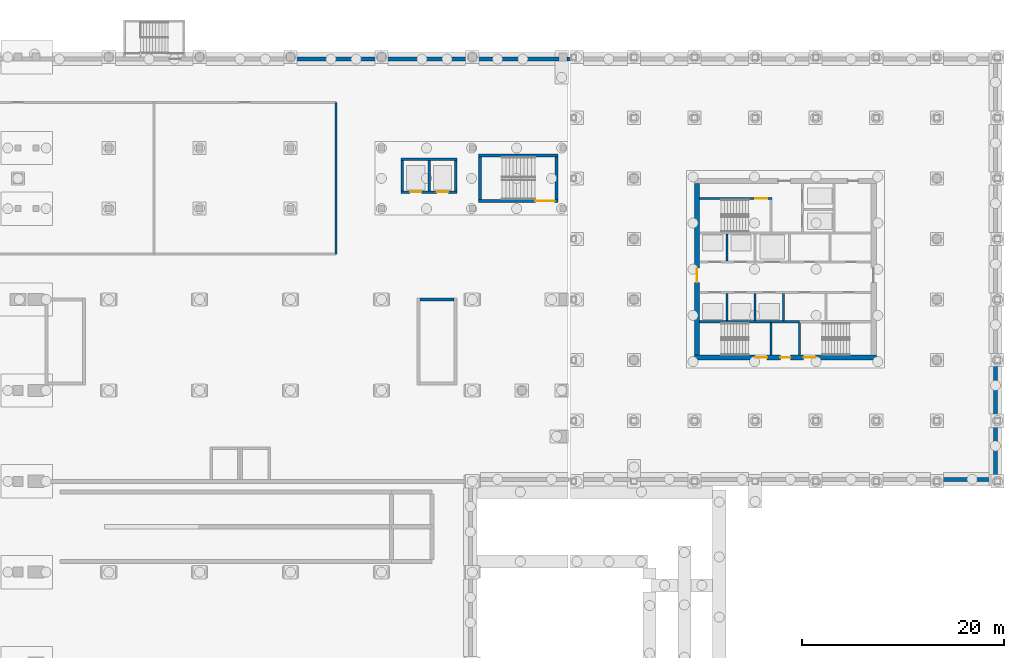
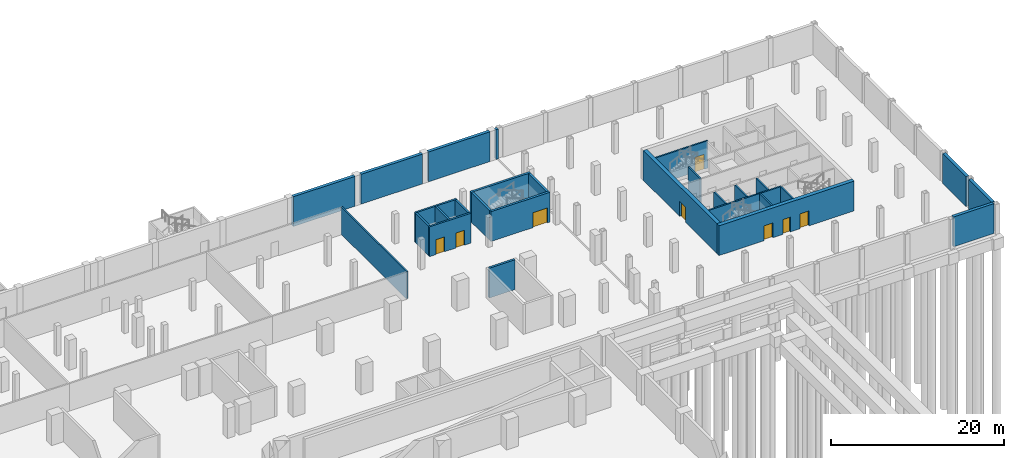
# One storey, part 16 of 29: 29 walls, 8 doors, 8 openings.
"""IFC4 building model written with IfcOpenShell, lengths in metres."""

from ifc_helpers import new_model, si_unit, direction, frame, frame_2d, origin, place, context, subcontext, project, spatial, rectangle, extrude, material, layer, layer_set, type_object, element, fill, save


model = new_model("IFC4")

# Units and contexts
model_context = context("Model", 3, precision=1e-05, world=origin(), true_north=direction((0.0, 1.0)))
body_context = subcontext(model_context, "Body", "Model", "MODEL_VIEW")
ifc_project = project(units=[si_unit("LENGTHUNIT", "METRE"), si_unit("AREAUNIT", "SQUARE_METRE"), si_unit("VOLUMEUNIT", "CUBIC_METRE"), si_unit("PLANEANGLEUNIT", "RADIAN"), si_unit("MASSUNIT", "GRAM", prefix="KILO")], contexts=[model_context])

# Site, building, storey
site_placement = place(None, origin())
site = spatial("IfcSite", under=ifc_project, at=site_placement, CompositionType="ELEMENT")
building_placement = place(site_placement, origin())
building = spatial("IfcBuilding", under=site, at=building_placement, Name="Aravalli Gate Trade Fair Centre", CompositionType="ELEMENT")
storey_placement = place(building_placement, frame((0.0, 0.0, -8.39990234375)))
storey = spatial("IfcBuildingStorey", under=building, at=storey_placement, Name="B2", CompositionType="ELEMENT", Elevation=-8.39990234375)

# Walls
ifc_material_1 = material(Name="Compressible joint filler")
ifc_layer_1 = layer(ifc_material_1, 0.169921875, Name="Joint filler, soil side")
ifc_material_2 = material(Name="PVC waterstop")
ifc_layer_2 = layer(ifc_material_2, 0.06005859375, Name="PVC waterstop, centre bulb")
ifc_layer_3 = layer(ifc_material_1, 0.169921875, Name="Joint filler, inner face")
ifc_layer_set_1 = layer_set([ifc_layer_1, ifc_layer_2, ifc_layer_3], Name="Basement joint filler wall 400")
wall_type_1 = type_object("IfcWallType", Name="Basement joint filler wall 400", PredefinedType="SOLIDWALL", material=ifc_layer_set_1)
wall_1_placement = place(storey_placement, frame((159.39990234375, 132.800048828125, 0.0), z_axis=(0.0, 0.0, 1.0), x_axis=(1.0, 0.0, 0.0)))
element("IfcWall", 1, at=wall_1_placement, inside=storey, type_object=wall_type_1, Name="Joint filler wall N B2", PredefinedType="SOLIDWALL", context=body_context, shape_type="SweptSolid", body=[
    extrude(rectangle(XDim=0.300048828125, YDim=0.39990234375, at=frame_2d((0.14990234375, 0.0))), origin(), (0.0, 0.0, 1.0), 4.199951171875),
])
ifc_material_3 = material(Name="Concrete M30", Category="concrete")
ifc_layer_4 = layer(ifc_material_3, 0.199951171875)
ifc_layer_set_2 = layer_set([ifc_layer_4], Name="Concrete M30")
wall_type_2 = type_object("IfcWallType", Name="Basement plant room wall 200", PredefinedType="SOLIDWALL", material=ifc_layer_set_2)
wall_2_placement = place(storey_placement, frame((136.5, 113.5, 0.0), z_axis=(0.0, 0.0, 1.0), x_axis=(0.0, 1.0, 0.0)))
element("IfcWall", 2, at=wall_2_placement, inside=storey, type_object=wall_type_2, Name="Basement plant room wall B2 16.1", PredefinedType="SOLIDWALL", context=body_context, shape_type="SweptSolid", body=[
    extrude(rectangle(XDim=15.0, YDim=0.199951171875, at=frame_2d((7.5, 0.0))), origin(), (0.0, 0.0, 1.0), 3.849853515625),
])
ifc_material_4 = material(Name="Concrete M40", Category="concrete")
ifc_layer_5 = layer(ifc_material_4, 0.39990234375)
ifc_layer_set_3 = layer_set([ifc_layer_5], Name="Concrete M40")
wall_type_3 = type_object("IfcWallType", Name="Basement retaining wall 400", PredefinedType="SOLIDWALL", material=ifc_layer_set_3)
wall_3_placement = place(storey_placement, frame((196.300048828125, 91.199951171875, 0.0), z_axis=(0.0, 0.0, 1.0), x_axis=(1.0, 0.0, 0.0)))
element("IfcWall", 3, at=wall_3_placement, inside=storey, type_object=wall_type_3, Name="Retaining wall S208 B2", PredefinedType="SOLIDWALL", context=body_context, shape_type="SweptSolid", body=[
    extrude(rectangle(XDim=5.39990234375, YDim=0.39990234375, at=frame_2d((2.699951171875, 0.0))), origin(), (0.0, 0.0, 1.0), 4.199951171875),
])
wall_4_placement = place(storey_placement, frame((201.800048828125, 91.39990234375, 0.0), z_axis=(0.0, 0.0, 1.0), x_axis=(0.0, 1.0, 0.0)))
element("IfcWall", 4, at=wall_4_placement, inside=storey, type_object=wall_type_3, Name="Retaining wall E201 B2", PredefinedType="SOLIDWALL", context=body_context, shape_type="SweptSolid", body=[
    extrude(rectangle(XDim=5.300048828125, YDim=0.39990234375, at=frame_2d((2.64990234375, 0.0))), origin(), (0.0, 0.0, 1.0), 4.199951171875),
])
wall_5_placement = place(storey_placement, frame((201.800048828125, 97.300048828125, 0.0), z_axis=(0.0, 0.0, 1.0), x_axis=(0.0, 1.0, 0.0)))
element("IfcWall", 5, at=wall_5_placement, inside=storey, type_object=wall_type_3, Name="Retaining wall E202 B2", PredefinedType="SOLIDWALL", context=body_context, shape_type="SweptSolid", body=[
    extrude(rectangle(XDim=5.39990234375, YDim=0.39990234375, at=frame_2d((2.699951171875, 0.0))), origin(), (0.0, 0.0, 1.0), 4.199951171875),
])
for number, where, z_axis, x_axis, name in (
    (6, (132.39990234375, 132.800048828125, 0.0), (0.0, 0.0, 1.0), (1.0, 0.0, 0.0), "Retaining wall N16 B2"),
    (7, (141.39990234375, 132.800048828125, 0.0), (0.0, 0.0, 1.0), (1.0, 0.0, 0.0), "Retaining wall N17 B2"),
    (8, (150.39990234375, 132.800048828125, 0.0), (0.0, 0.0, 1.0), (1.0, 0.0, 0.0), "Retaining wall N18 B2"),
):
    element("IfcWall", number, at=place(storey_placement, frame(where, z_axis=z_axis, x_axis=x_axis)), inside=storey, type_object=wall_type_3, Name=name, PredefinedType="SOLIDWALL", context=body_context, shape_type="SweptSolid", body=[
        extrude(rectangle(XDim=8.2001953125, YDim=0.39990234375, at=frame_2d((4.10009765625, 0.0))), origin(), (0.0, 0.0, 1.0), 4.199951171875),
    ])
ifc_layer_6 = layer(ifc_material_4, 0.300048828125)
ifc_layer_set_4 = layer_set([ifc_layer_6], Name="Concrete M40")
wall_type_4 = type_object("IfcWallType", Name="Congress RC wall 300", PredefinedType="SHEAR", material=ifc_layer_set_4)
wall_6_placement = place(storey_placement, frame((144.800048828125, 109.0, 0.0), z_axis=(0.0, 0.0, 1.0), x_axis=(1.0, 0.0, 0.0)))
element("IfcWall", 9, at=wall_6_placement, inside=storey, type_object=wall_type_4, Name="Foyer Stair East wall N B2", PredefinedType="SHEAR", context=body_context, shape_type="SweptSolid", body=[
    extrude(rectangle(XDim=3.39990234375, YDim=0.300048828125, at=frame_2d((1.699951171875, 0.0))), origin(), (0.0, 0.0, 1.0), 4.199951171875),
])

# Wall, openings, doors
ifc_layer_7 = layer(ifc_material_4, 0.25)
ifc_layer_set_5 = layer_set([ifc_layer_7], Name="Concrete M40")
wall_type_5 = type_object("IfcWallType", Name="RC core wall 250", PredefinedType="SHEAR", material=ifc_layer_set_5)
wall_7_placement = place(storey_placement, frame((142.949951171875, 119.625, 0.0), z_axis=(0.0, 0.0, 1.0), x_axis=(1.0, 0.0, 0.0)))
wall_7 = element("IfcWall", 10, at=wall_7_placement, inside=storey, type_object=wall_type_5, Name="Core wall ELS B2", PredefinedType="SHEAR", context=body_context, shape_type="SweptSolid", body=[
    extrude(rectangle(XDim=5.550048828125, YDim=0.25, at=frame_2d((2.77490234375, 0.0))), origin(), (0.0, 0.0, 1.0), 4.199951171875),
])
opening_1_placement = place(wall_7_placement, frame((0.89990234375, 0.0, 0.0)))
opening_1 = element("IfcOpeningElement", 11, at=opening_1_placement, cuts=wall_7, Name="Opening C-B2-05", PredefinedType="OPENING", context=body_context, shape_type="SweptSolid", body=[
    extrude(rectangle(XDim=1.10009765625, YDim=2.10009765625, at=frame_2d((0.550048828125, 1.050048828125))), frame((0.0, 0.135009765625, 0.0), z_axis=(0.0, -1.0, 0.0), x_axis=(1.0, 0.0, 0.0)), (0.0, 0.0, 1.0), 0.27001953125),
])
opening_2_placement = place(wall_7_placement, frame((3.550048828125, 0.0, 0.0)))
opening_2 = element("IfcOpeningElement", 12, at=opening_2_placement, cuts=wall_7, Name="Opening C-B2-06", PredefinedType="OPENING", context=body_context, shape_type="SweptSolid", body=[
    extrude(rectangle(XDim=1.10009765625, YDim=2.10009765625, at=frame_2d((0.550048828125, 1.050048828125))), frame((0.0, 0.135009765625, 0.0), z_axis=(0.0, -1.0, 0.0), x_axis=(1.0, 0.0, 0.0)), (0.0, 0.0, 1.0), 0.27001953125),
])
ifc_material_5 = material(Name="Steel, fire rated", Category="steel")
door_type_1 = type_object("IfcDoorType", Name="Concourse lift landing door 1100 x 2100", OperationType="DOUBLE_DOOR_SLIDING", PredefinedType="NOTDEFINED", material=ifc_material_5)
door_1_placement = place(opening_1_placement, origin())
door_1 = element("IfcDoor", 13, at=door_1_placement, inside=storey, type_object=door_type_1, Name="Lift landing door EL1 B2", OperationType="DOUBLE_DOOR_SLIDING", OverallHeight=2.10009765625, OverallWidth=1.10009765625, PredefinedType="NOTDEFINED", context=body_context, shape_type="SweptSolid", body=[
    extrude(rectangle(XDim=1.10009765625, YDim=2.10009765625, at=frame_2d((0.550048828125, 1.050048828125))), frame((0.0, 0.02490234375, 0.0), z_axis=(0.0, -1.0, 0.0), x_axis=(1.0, 0.0, 0.0)), (0.0, 0.0, 1.0), 0.050048828125),
])
fill(opening_1, door_1)
door_2_placement = place(opening_2_placement, origin())
door_2 = element("IfcDoor", 14, at=door_2_placement, inside=storey, type_object=door_type_1, Name="Lift landing door EL2 B2", OperationType="DOUBLE_DOOR_SLIDING", OverallHeight=2.10009765625, OverallWidth=1.10009765625, PredefinedType="NOTDEFINED", context=body_context, shape_type="SweptSolid", body=[
    extrude(rectangle(XDim=1.10009765625, YDim=2.10009765625, at=frame_2d((0.550048828125, 1.050048828125))), frame((0.0, 0.02490234375, 0.0), z_axis=(0.0, -1.0, 0.0), x_axis=(1.0, 0.0, 0.0)), (0.0, 0.0, 1.0), 0.050048828125),
])
fill(opening_2, door_2)

# Walls
wall_8_placement = place(storey_placement, frame((142.949951171875, 122.875, 0.0), z_axis=(0.0, 0.0, 1.0), x_axis=(1.0, 0.0, 0.0)))
element("IfcWall", 15, at=wall_8_placement, inside=storey, type_object=wall_type_5, Name="Core wall ELN B2", PredefinedType="SHEAR", context=body_context, shape_type="SweptSolid", body=[
    extrude(rectangle(XDim=5.550048828125, YDim=0.25, at=frame_2d((2.77490234375, 0.0))), origin(), (0.0, 0.0, 1.0), 4.199951171875),
])
for number, where, z_axis, x_axis, name in (
    (16, (143.074951171875, 119.75, 0.0), (0.0, 0.0, 1.0), (0.0, 1.0, 0.0), "Core wall ELW B2"),
    (17, (148.375, 119.75, 0.0), (0.0, 0.0, 1.0), (0.0, 1.0, 0.0), "Core wall ELE B2"),
    (18, (145.72509765625, 119.75, 0.0), (0.0, 0.0, 1.0), (0.0, 1.0, 0.0), "Core wall ELM B2"),
):
    element("IfcWall", number, at=place(storey_placement, frame(where, z_axis=z_axis, x_axis=x_axis)), inside=storey, type_object=wall_type_5, Name=name, PredefinedType="SHEAR", context=body_context, shape_type="SweptSolid", body=[
        extrude(rectangle(XDim=3.0, YDim=0.25, at=frame_2d((1.5, 0.0))), origin(), (0.0, 0.0, 1.0), 4.199951171875),
    ])

# Wall, opening, door
ifc_layer_8 = layer(ifc_material_4, 0.300048828125)
ifc_layer_set_6 = layer_set([ifc_layer_8], Name="Concrete M40")
wall_type_6 = type_object("IfcWallType", Name="RC core wall 300", PredefinedType="SHEAR", material=ifc_layer_set_6)
wall_9_placement = place(storey_placement, frame((150.60009765625, 118.75, 0.0), z_axis=(0.0, 0.0, 1.0), x_axis=(1.0, 0.0, 0.0)))
wall_9 = element("IfcWall", 19, at=wall_9_placement, inside=storey, type_object=wall_type_6, Name="Core wall ESS B2", PredefinedType="SHEAR", context=body_context, shape_type="SweptSolid", body=[
    extrude(rectangle(XDim=7.89990234375, YDim=0.300048828125, at=frame_2d((3.949951171875, 0.0))), origin(), (0.0, 0.0, 1.0), 4.199951171875),
])
opening_3_placement = place(wall_9_placement, frame((5.64990234375, 0.0, 0.0)))
opening_3 = element("IfcOpeningElement", 20, at=opening_3_placement, cuts=wall_9, Name="Opening C-B2-04", PredefinedType="OPENING", context=body_context, shape_type="SweptSolid", body=[
    extrude(rectangle(XDim=1.89990234375, YDim=2.10009765625, at=frame_2d((0.949951171875, 1.050048828125))), frame((0.0, 0.159912109375, 0.0), z_axis=(0.0, -1.0, 0.0), x_axis=(1.0, 0.0, 0.0)), (0.0, 0.0, 1.0), 0.320068359375),
])
door_type_2 = type_object("IfcDoorType", Name="Concourse stair door 1900 x 2100", OperationType="DOUBLE_DOOR_SINGLE_SWING", PredefinedType="NOTDEFINED", material=ifc_material_5)
door_3_placement = place(opening_3_placement, origin())
door_3 = element("IfcDoor", 21, at=door_3_placement, inside=storey, type_object=door_type_2, Name="Stair door ES B2", OperationType="DOUBLE_DOOR_SINGLE_SWING", OverallHeight=2.10009765625, OverallWidth=1.89990234375, PredefinedType="NOTDEFINED", context=body_context, shape_type="SweptSolid", body=[
    extrude(rectangle(XDim=1.89990234375, YDim=2.10009765625, at=frame_2d((0.949951171875, 1.050048828125))), frame((0.0, 0.02490234375, 0.0), z_axis=(0.0, -1.0, 0.0), x_axis=(1.0, 0.0, 0.0)), (0.0, 0.0, 1.0), 0.050048828125),
])
fill(opening_3, door_3)

# Walls
wall_10_placement = place(storey_placement, frame((150.60009765625, 123.25, 0.0), z_axis=(0.0, 0.0, 1.0), x_axis=(1.0, 0.0, 0.0)))
element("IfcWall", 22, at=wall_10_placement, inside=storey, type_object=wall_type_6, Name="Core wall ESN B2", PredefinedType="SHEAR", context=body_context, shape_type="SweptSolid", body=[
    extrude(rectangle(XDim=7.89990234375, YDim=0.300048828125, at=frame_2d((3.949951171875, 0.0))), origin(), (0.0, 0.0, 1.0), 4.199951171875),
])
for number, where, z_axis, x_axis, name in (
    (23, (150.75, 118.89990234375, 0.0), (0.0, 0.0, 1.0), (0.0, 1.0, 0.0), "Core wall ESW B2"),
    (24, (158.35009765625, 118.89990234375, 0.0), (0.0, 0.0, 1.0), (0.0, 1.0, 0.0), "Core wall ESE B2"),
):
    element("IfcWall", number, at=place(storey_placement, frame(where, z_axis=z_axis, x_axis=x_axis)), inside=storey, type_object=wall_type_6, Name=name, PredefinedType="SHEAR", context=body_context, shape_type="SweptSolid", body=[
        extrude(rectangle(XDim=4.2001953125, YDim=0.300048828125, at=frame_2d((2.10009765625, 0.0))), origin(), (0.0, 0.0, 1.0), 4.199951171875),
    ])

# Wall, opening, door
ifc_layer_9 = layer(ifc_material_3, 0.199951171875)
ifc_layer_set_7 = layer_set([ifc_layer_9], Name="Concrete M30")
wall_type_7 = type_object("IfcWallType", Name="Wing core internal wall 200 (EI 120, firefighting shaft)", PredefinedType="SOLIDWALL", material=ifc_layer_set_7)
wall_11_placement = place(storey_placement, frame((172.5, 119.0, 0.0), z_axis=(0.0, 0.0, 1.0), x_axis=(1.0, 0.0, 0.0)))
wall_11 = element("IfcWall", 25, at=wall_11_placement, inside=storey, type_object=wall_type_7, Name="Core wall FF-N B2", PredefinedType="SOLIDWALL", context=body_context, shape_type="SweptSolid", body=[
    extrude(rectangle(XDim=7.199951171875, YDim=0.199951171875, at=frame_2d((3.60009765625, 0.0))), origin(), (0.0, 0.0, 1.0), 3.849853515625),
])
opening_4_placement = place(wall_11_placement, frame((5.5, 0.0, 0.0)))
opening_4 = element("IfcOpeningElement", 26, at=opening_4_placement, cuts=wall_11, Name="Opening T-B2-131", PredefinedType="OPENING", context=body_context, shape_type="SweptSolid", body=[
    extrude(rectangle(XDim=1.199951171875, YDim=2.10009765625, at=frame_2d((0.60009765625, 1.050048828125))), frame((0.0, 0.10986328125, 0.0), z_axis=(0.0, -1.0, 0.0), x_axis=(1.0, 0.0, 0.0)), (0.0, 0.0, 1.0), 0.219970703125),
])
door_type_3 = type_object("IfcDoorType", Name="Wing fire door FD120 1200 x 2100", OperationType="SINGLE_SWING_LEFT", PredefinedType="DOOR", material=ifc_material_5)
door_4_placement = place(opening_4_placement, frame((1.199951171875, 0.0, 0.0), z_axis=(0.0, 0.0, 1.0), x_axis=(-1.0, 0.0, 0.0)))
door_4 = element("IfcDoor", 27, at=door_4_placement, inside=storey, type_object=door_type_3, Name="Core door T-B2-131", OperationType="SINGLE_SWING_LEFT", OverallHeight=2.10009765625, OverallWidth=1.199951171875, PredefinedType="DOOR", context=body_context, shape_type="SweptSolid", body=[
    extrude(rectangle(XDim=1.199951171875, YDim=2.10009765625, at=frame_2d((0.60009765625, 1.050048828125))), frame((0.0, 0.02490234375, 0.0), z_axis=(0.0, -1.0, 0.0), x_axis=(1.0, 0.0, 0.0)), (0.0, 0.0, 1.0), 0.050048828125),
])
fill(opening_4, door_4)

# Walls
ifc_layer_10 = layer(ifc_material_3, 0.199951171875)
ifc_layer_set_8 = layer_set([ifc_layer_10], Name="Concrete M30")
wall_type_8 = type_object("IfcWallType", Name="Wing core internal wall 200 (EI 120, lift shaft)", PredefinedType="SOLIDWALL", material=ifc_layer_set_8)
wall_12_placement = place(storey_placement, frame((172.5, 106.800048828125, 0.0), z_axis=(0.0, 0.0, 1.0), x_axis=(1.0, 0.0, 0.0)))
element("IfcWall", 28, at=wall_12_placement, inside=storey, type_object=wall_type_8, Name="Core wall S-REAR-W B2", PredefinedType="SOLIDWALL", context=body_context, shape_type="SweptSolid", body=[
    extrude(rectangle(XDim=7.10009765625, YDim=0.199951171875, at=frame_2d((3.550048828125, 0.0))), origin(), (0.0, 0.0, 1.0), 3.849853515625),
])
wall_13_placement = place(storey_placement, frame((179.60009765625, 106.800048828125, 0.0), z_axis=(0.0, 0.0, 1.0), x_axis=(1.0, 0.0, 0.0)))
element("IfcWall", 29, at=wall_13_placement, inside=storey, type_object=wall_type_8, Name="Core wall S-REAR-M B2", PredefinedType="SOLIDWALL", context=body_context, shape_type="SweptSolid", body=[
    extrude(rectangle(XDim=2.7998046875, YDim=0.199951171875, at=frame_2d((1.39990234375, 0.0))), origin(), (0.0, 0.0, 1.0), 3.849853515625),
])
for number, where, z_axis, x_axis, name in (
    (30, (175.199951171875, 106.89990234375, 0.0), (0.0, 0.0, 1.0), (0.0, 1.0, 0.0), "Core wall SB-3.2 B2"),
    (31, (178.0, 106.89990234375, 0.0), (0.0, 0.0, 1.0), (0.0, 1.0, 0.0), "Core wall SB-6.0 B2"),
    (32, (180.800048828125, 106.89990234375, 0.0), (0.0, 0.0, 1.0), (0.0, 1.0, 0.0), "Core wall SB-8.8 B2"),
):
    element("IfcWall", number, at=place(storey_placement, frame(where, z_axis=z_axis, x_axis=x_axis)), inside=storey, type_object=wall_type_8, Name=name, PredefinedType="SOLIDWALL", context=body_context, shape_type="SweptSolid", body=[
        extrude(rectangle(XDim=2.7001953125, YDim=0.199951171875, at=frame_2d((1.35009765625, 0.0))), origin(), (0.0, 0.0, 1.0), 3.849853515625),
    ])
wall_14_placement = place(storey_placement, frame((175.199951171875, 112.800048828125, 0.0), z_axis=(0.0, 0.0, 1.0), x_axis=(0.0, 1.0, 0.0)))
element("IfcWall", 33, at=wall_14_placement, inside=storey, type_object=wall_type_8, Name="Core wall NB-3.2 B2", PredefinedType="SOLIDWALL", context=body_context, shape_type="SweptSolid", body=[
    extrude(rectangle(XDim=2.699951171875, YDim=0.199951171875, at=frame_2d((1.35009765625, 0.0))), origin(), (0.0, 0.0, 1.0), 3.849853515625),
])
ifc_layer_11 = layer(ifc_material_3, 0.199951171875)
ifc_layer_set_9 = layer_set([ifc_layer_11], Name="Concrete M30")
wall_type_9 = type_object("IfcWallType", Name="Wing core internal wall 200 (EI 120, stair enclosure)", PredefinedType="SOLIDWALL", material=ifc_layer_set_9)
for number, where, z_axis, x_axis, name in (
    (34, (179.60009765625, 103.5, 0.0), (0.0, 0.0, 1.0), (0.0, 1.0, 0.0), "Core wall S-AB B2"),
    (35, (182.39990234375, 103.5, 0.0), (0.0, 0.0, 1.0), (0.0, 1.0, 0.0), "Core wall S-BC B2"),
):
    element("IfcWall", number, at=place(storey_placement, frame(where, z_axis=z_axis, x_axis=x_axis)), inside=storey, type_object=wall_type_9, Name=name, PredefinedType="SOLIDWALL", context=body_context, shape_type="SweptSolid", body=[
        extrude(rectangle(XDim=3.199951171875, YDim=0.199951171875, at=frame_2d((1.60009765625, 0.0))), origin(), (0.0, 0.0, 1.0), 3.849853515625),
    ])

# Wall, openings, doors
ifc_material_6 = material(Name="Concrete M50", Category="concrete")
ifc_layer_12 = layer(ifc_material_6, 0.5)
ifc_layer_set_10 = layer_set([ifc_layer_12], Name="Concrete M50")
wall_type_10 = type_object("IfcWallType", Name="Wing core shear wall 500", PredefinedType="SHEAR", material=ifc_layer_set_10)
wall_15_placement = place(storey_placement, frame((172.0, 103.25, 0.0), z_axis=(0.0, 0.0, 1.0), x_axis=(1.0, 0.0, 0.0)))
wall_15 = element("IfcWall", 36, at=wall_15_placement, inside=storey, type_object=wall_type_10, Name="Core wall S B2", PredefinedType="SHEAR", context=body_context, shape_type="SweptSolid", body=[
    extrude(rectangle(XDim=18.0, YDim=0.5, at=frame_2d((9.0, 0.0))), origin(), (0.0, 0.0, 1.0), 4.199951171875),
])
opening_5_placement = place(wall_15_placement, frame((8.5, 0.0, 0.0)))
opening_5 = element("IfcOpeningElement", 37, at=opening_5_placement, cuts=wall_15, Name="Opening T-B2-102", PredefinedType="OPENING", context=body_context, shape_type="SweptSolid", body=[
    extrude(rectangle(XDim=1.0, YDim=2.10009765625, at=frame_2d((0.5, 1.050048828125))), frame((0.0, 0.260009765625, 0.0), z_axis=(0.0, -1.0, 0.0), x_axis=(1.0, 0.0, 0.0)), (0.0, 0.0, 1.0), 0.52001953125),
])
opening_6_placement = place(wall_15_placement, frame((6.0, 0.0, 0.0)))
opening_6 = element("IfcOpeningElement", 38, at=opening_6_placement, cuts=wall_15, Name="Opening T-B2-101", PredefinedType="OPENING", context=body_context, shape_type="SweptSolid", body=[
    extrude(rectangle(XDim=1.199951171875, YDim=2.10009765625, at=frame_2d((0.60009765625, 1.050048828125))), frame((0.0, 0.260009765625, 0.0), z_axis=(0.0, -1.0, 0.0), x_axis=(1.0, 0.0, 0.0)), (0.0, 0.0, 1.0), 0.52001953125),
])
opening_7_placement = place(wall_15_placement, frame((10.800048828125, 0.0, 0.0)))
opening_7 = element("IfcOpeningElement", 39, at=opening_7_placement, cuts=wall_15, Name="Opening T-B2-103", PredefinedType="OPENING", context=body_context, shape_type="SweptSolid", body=[
    extrude(rectangle(XDim=1.199951171875, YDim=2.10009765625, at=frame_2d((0.60009765625, 1.050048828125))), frame((0.0, 0.260009765625, 0.0), z_axis=(0.0, -1.0, 0.0), x_axis=(1.0, 0.0, 0.0)), (0.0, 0.0, 1.0), 0.52001953125),
])
door_type_4 = type_object("IfcDoorType", Name="Wing fire door FD120 1000 x 2100", OperationType="SINGLE_SWING_LEFT", PredefinedType="DOOR", material=ifc_material_5)
door_5_placement = place(opening_5_placement, origin())
door_5 = element("IfcDoor", 40, at=door_5_placement, inside=storey, type_object=door_type_4, Name="Core door T-B2-102", OperationType="SINGLE_SWING_LEFT", OverallHeight=2.10009765625, OverallWidth=1.0, PredefinedType="DOOR", context=body_context, shape_type="SweptSolid", body=[
    extrude(rectangle(XDim=1.0, YDim=2.10009765625, at=frame_2d((0.5, 1.050048828125))), frame((0.0, 0.02490234375, 0.0), z_axis=(0.0, -1.0, 0.0), x_axis=(1.0, 0.0, 0.0)), (0.0, 0.0, 1.0), 0.050048828125),
])
fill(opening_5, door_5)
door_6_placement = place(opening_6_placement, origin())
door_6 = element("IfcDoor", 41, at=door_6_placement, inside=storey, type_object=door_type_3, Name="Core door T-B2-101", OperationType="SINGLE_SWING_RIGHT", OverallHeight=2.10009765625, OverallWidth=1.199951171875, PredefinedType="DOOR", context=body_context, shape_type="SweptSolid", body=[
    extrude(rectangle(XDim=1.199951171875, YDim=2.10009765625, at=frame_2d((0.60009765625, 1.050048828125))), frame((0.0, 0.02490234375, 0.0), z_axis=(0.0, -1.0, 0.0), x_axis=(1.0, 0.0, 0.0)), (0.0, 0.0, 1.0), 0.050048828125),
])
fill(opening_6, door_6)
door_7_placement = place(opening_7_placement, origin())
door_7 = element("IfcDoor", 42, at=door_7_placement, inside=storey, type_object=door_type_3, Name="Core door T-B2-103", OperationType="SINGLE_SWING_LEFT", OverallHeight=2.10009765625, OverallWidth=1.199951171875, PredefinedType="DOOR", context=body_context, shape_type="SweptSolid", body=[
    extrude(rectangle(XDim=1.199951171875, YDim=2.10009765625, at=frame_2d((0.60009765625, 1.050048828125))), frame((0.0, 0.02490234375, 0.0), z_axis=(0.0, -1.0, 0.0), x_axis=(1.0, 0.0, 0.0)), (0.0, 0.0, 1.0), 0.050048828125),
])
fill(opening_7, door_7)

# Wall, opening, door
wall_16_placement = place(storey_placement, frame((172.25, 103.5, 0.0), z_axis=(0.0, 0.0, 1.0), x_axis=(0.0, 1.0, 0.0)))
wall_16 = element("IfcWall", 43, at=wall_16_placement, inside=storey, type_object=wall_type_10, Name="Core wall W B2", PredefinedType="SHEAR", context=body_context, shape_type="SweptSolid", body=[
    extrude(rectangle(XDim=17.0, YDim=0.5, at=frame_2d((8.5, 0.0))), origin(), (0.0, 0.0, 1.0), 4.199951171875),
])
opening_8_placement = place(wall_16_placement, frame((7.199951171875, 0.0, 0.0)))
opening_8 = element("IfcOpeningElement", 44, at=opening_8_placement, cuts=wall_16, Name="Opening T-B2-106", PredefinedType="OPENING", context=body_context, shape_type="SweptSolid", body=[
    extrude(rectangle(XDim=1.39990234375, YDim=2.10009765625, at=frame_2d((0.699951171875, 1.050048828125))), frame((0.0, 0.260009765625, 0.0), z_axis=(0.0, -1.0, 0.0), x_axis=(1.0, 0.0, 0.0)), (0.0, 0.0, 1.0), 0.52001953125),
])
door_type_5 = type_object("IfcDoorType", Name="Wing fire door FD120 1400 x 2100", OperationType="DOUBLE_DOOR_SINGLE_SWING", PredefinedType="DOOR", material=ifc_material_5)
door_8_placement = place(opening_8_placement, origin())
door_8 = element("IfcDoor", 45, at=door_8_placement, inside=storey, type_object=door_type_5, Name="Core door T-B2-106", OperationType="DOUBLE_DOOR_SINGLE_SWING", OverallHeight=2.10009765625, OverallWidth=1.39990234375, PredefinedType="DOOR", context=body_context, shape_type="SweptSolid", body=[
    extrude(rectangle(XDim=1.39990234375, YDim=2.10009765625, at=frame_2d((0.699951171875, 1.050048828125))), frame((0.0, 0.02490234375, 0.0), z_axis=(0.0, -1.0, 0.0), x_axis=(1.0, 0.0, 0.0)), (0.0, 0.0, 1.0), 0.050048828125),
])
fill(opening_8, door_8)

save(model, "model.ifc")
